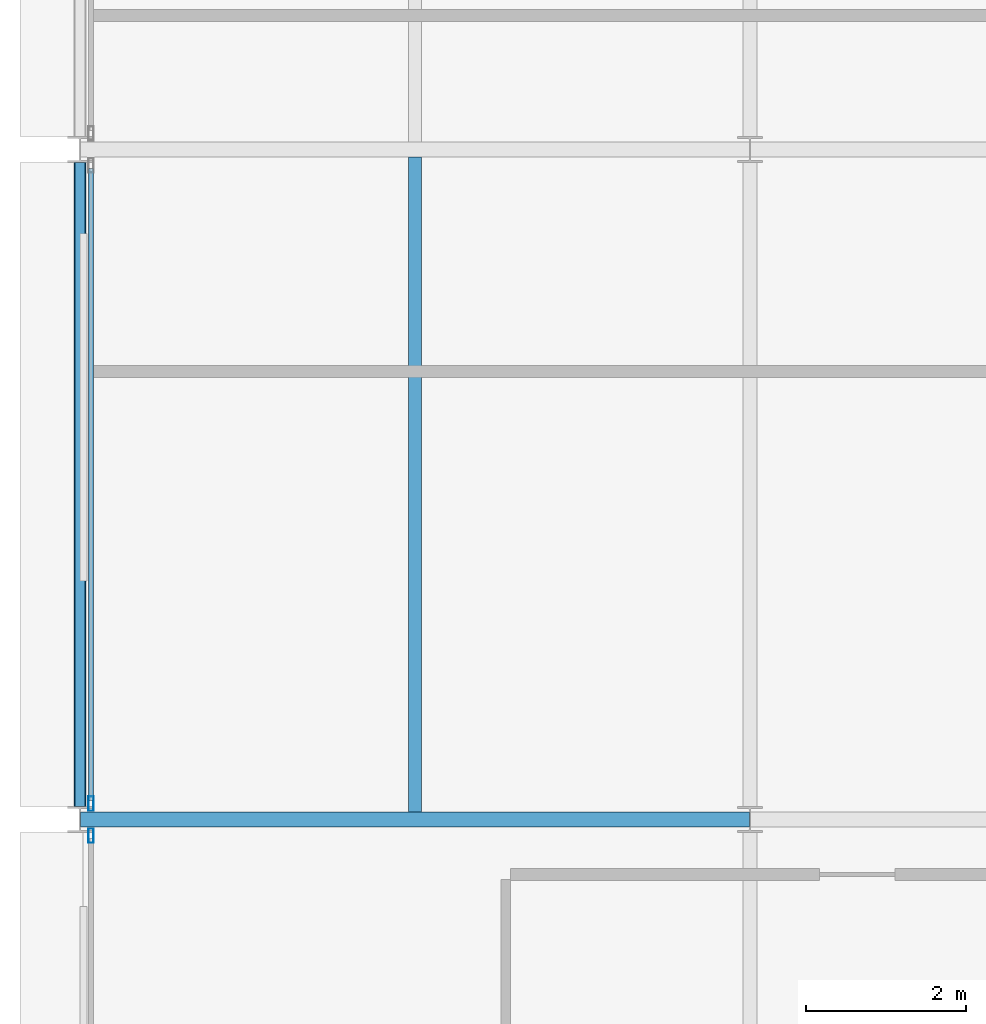
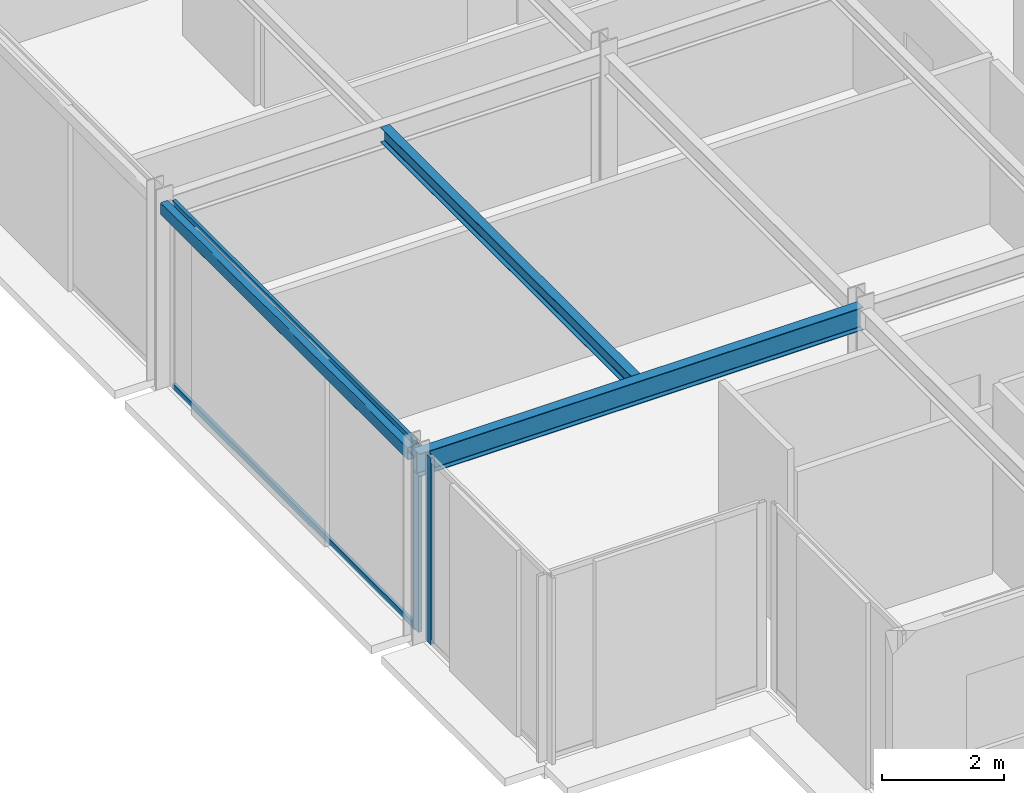
# One storey, part 5 of 25: 4 members, 3 beams, 2 elements without a shape of their own.
"""IFC4 building model written with IfcOpenShell, lengths in metres."""

import ifcopenshell
import ifcopenshell.guid

model = None  # the IFC model being written
_history = None  # IfcOwnerHistory: only IFC2X3 demands one
_inside = {}  # id of a spatial element -> (the spatial element, [elements in it])
_under = {}  # id of a project, library or spatial element -> (it, [spatial elements below it])
_declared = {}  # id of a project -> (the project, [libraries it declares])
_typed = {}  # id of a type object -> (the type object, [elements of that type])
_made_of = {}  # id of a material, layer set ... -> (it, [elements and type objects made of it])


def new_model(schema):
    """Start an empty IFC model of exactly this schema.

    Asked for "IFC4X3", IfcOpenShell would pick the latest addendum, in which some entities
    have other attributes; the version numbers below select the first issue.
    IFC2X3 requires an IfcOwnerHistory on every rooted entity: one is made here for all.
    """
    global model, _history
    if schema == "IFC4X3":
        model = ifcopenshell.file(schema_version=(4, 3, 0, 0))
    else:
        model = ifcopenshell.file(schema=schema)
    _inside.clear()
    _under.clear()
    _declared.clear()
    _typed.clear()
    _made_of.clear()
    _history = None
    if model.schema == "IFC2X3":
        org = make("IfcOrganization", Name="unknown")
        user = make(
            "IfcPersonAndOrganization",
            ThePerson=make("IfcPerson", FamilyName="unknown"),
            TheOrganization=org,
        )
        app = make(
            "IfcApplication",
            ApplicationDeveloper=org,
            Version="unknown",
            ApplicationFullName="unknown",
            ApplicationIdentifier="unknown",
        )
        _history = make(
            "IfcOwnerHistory",
            OwningUser=user,
            OwningApplication=app,
            ChangeAction="ADDED",
            CreationDate=0,
        )
    return model


def make(cls, **values):
    """One entity of the class cls with the attributes given. An attribute that is None is left unset."""
    return model.create_entity(
        cls, **{name: value for name, value in values.items() if value is not None}
    )


def rooted(cls, **values):
    """An entity with a GlobalId (a new one), such as an element, a storey or a relation."""
    return make(cls, GlobalId=ifcopenshell.guid.new(), OwnerHistory=_history, **values)


def si_unit(unit_type, name, prefix=None):
    """IfcSIUnit, for example si_unit("LENGTHUNIT", "METRE", prefix="MILLI")."""
    return make("IfcSIUnit", UnitType=unit_type, Prefix=prefix, Name=name)


def assignment(units):
    """IfcUnitAssignment: the units of a project."""
    return None if units is None else make("IfcUnitAssignment", Units=units)


def point(xyz):
    """IfcCartesianPoint."""
    return None if xyz is None else make("IfcCartesianPoint", Coordinates=xyz)


def direction(xyz):
    """IfcDirection."""
    return None if xyz is None else make("IfcDirection", DirectionRatios=xyz)


def frame(location, z_axis=None, x_axis=None):
    """IfcAxis2Placement3D, a coordinate frame: its origin and axes. An axis left out is left unset."""
    return make(
        "IfcAxis2Placement3D",
        Location=point(location),
        Axis=direction(z_axis),
        RefDirection=direction(x_axis),
    )


def frame_2d(location, x_axis=None):
    """IfcAxis2Placement2D, a coordinate frame in the plane: its origin and x axis."""
    return make(
        "IfcAxis2Placement2D", Location=point(location), RefDirection=direction(x_axis)
    )


def origin():
    """The frame at (0, 0, 0) with its axes left unset."""
    return frame((0.0, 0.0, 0.0))


def origin_2d():
    """The frame at (0, 0) in the plane with its x axis left unset."""
    return frame_2d((0.0, 0.0))


def place(relative_to, where):
    """IfcLocalPlacement: puts the frame where relative to a parent placement (None: the world)."""
    return make(
        "IfcLocalPlacement", PlacementRelTo=relative_to, RelativePlacement=where
    )


def context(
    kind, dimensions, precision=None, world=None, true_north=None, identifier=None
):
    """IfcGeometricRepresentationContext, for example the 3D "Model" context."""
    return make(
        "IfcGeometricRepresentationContext",
        ContextIdentifier=identifier,
        ContextType=kind,
        CoordinateSpaceDimension=dimensions,
        Precision=precision,
        WorldCoordinateSystem=world,
        TrueNorth=true_north,
    )


def subcontext(parent, identifier, kind, view, scale=None):
    """IfcGeometricRepresentationSubContext, for example "Body" below "Model"."""
    return make(
        "IfcGeometricRepresentationSubContext",
        ContextIdentifier=identifier,
        ContextType=kind,
        ParentContext=parent,
        TargetScale=scale,
        TargetView=view,
    )


def project(units=None, contexts=None):
    """IfcProject with its units and contexts."""
    return rooted(
        "IfcProject",
        Name="project",
        RepresentationContexts=contexts,
        UnitsInContext=assignment(units),
    )


def spatial(cls, under=None, at=None, **own):
    """A site, building, storey or space (cls), placed at a placement, below another one or the project."""
    s = rooted(cls, ObjectPlacement=at, **own)
    if under is not None:
        _under.setdefault(under.id(), (under, []))[1].append(s)
    return s


def profile(cls, at=None, kind="AREA", **sizes):
    """A parametric profile (cls). Its sizes go by their IFC names, for example OverallWidth=200.0."""
    return make(cls, ProfileType=kind, Position=at, **sizes)


def hollow_rectangle(**sizes):
    """IfcRectangleHollowProfileDef."""
    return profile("IfcRectangleHollowProfileDef", **sizes)


def i_section(**sizes):
    """IfcIShapeProfileDef."""
    return profile("IfcIShapeProfileDef", **sizes)


def extrude(swept, where, along, depth):
    """IfcExtrudedAreaSolid: the profile swept, set in the frame where, extruded along a direction by depth."""
    return make(
        "IfcExtrudedAreaSolid",
        SweptArea=swept,
        Position=where,
        ExtrudedDirection=direction(along),
        Depth=depth,
    )


def shape(context_of_items, identifier, shape_type, items):
    """IfcShapeRepresentation: the items that make up one representation, for example the "Body"."""
    return make(
        "IfcShapeRepresentation",
        ContextOfItems=context_of_items,
        RepresentationIdentifier=identifier,
        RepresentationType=shape_type,
        Items=items,
    )


def material(Name=None, Category=None):
    """IfcMaterial."""
    return make("IfcMaterial", Name=Name, Category=Category)


def layer(
    of_material, thickness, ventilated=None, Name=None, Category=None, Priority=None
):
    """IfcMaterialLayer: one layer of a wall or slab, of a material (None: an air gap)."""
    return make(
        "IfcMaterialLayer",
        Material=of_material,
        LayerThickness=thickness,
        IsVentilated=ventilated,
        Name=Name,
        Category=Category,
        Priority=Priority,
    )


def layer_set(layers, Name=None):
    """IfcMaterialLayerSet."""
    return make("IfcMaterialLayerSet", MaterialLayers=layers, LayerSetName=Name)


def material_profile(
    of_material, cross_section, Name=None, Category=None, Priority=None
):
    """IfcMaterialProfile: a cross section and its material."""
    return make(
        "IfcMaterialProfile",
        Name=Name,
        Material=of_material,
        Profile=cross_section,
        Priority=Priority,
        Category=Category,
    )


def profile_set(profiles, Name=None, composite=None):
    """IfcMaterialProfileSet."""
    return make(
        "IfcMaterialProfileSet",
        Name=Name,
        MaterialProfiles=profiles,
        CompositeProfile=composite,
    )


def made_of(thing, what):
    """Note that an element or type object is made of a material, layer set ...; save() writes the relation."""
    if what is not None:
        _made_of.setdefault(what.id(), (what, []))[1].append(thing)
    return thing


def type_object(cls, material=None, **own):
    """A type object (cls), such as IfcWallType, which elements share."""
    return made_of(rooted(cls, **own), material)


def element(
    cls,
    number,
    at=None,
    inside=None,
    cuts=None,
    type_object=None,
    material=None,
    context=None,
    identifier="Body",
    shape_type=None,
    held_by="IfcProductDefinitionShape",
    body=None,
    shapes=None,
    **own,
):
    """One element of the class cls, such as IfcWall. Its Tag is "e" and its number.

    at: its placement. inside: the storey or other place that contains it. cuts: it is an
    opening in that element (IfcRelVoidsElement). A single representation is given by context,
    identifier, shape_type and body (its items); several are given by shapes. held_by: the class
    of the entity that holds the representations. save() writes the other relations.
    """
    e = rooted(cls, Tag="e%d" % number, ObjectPlacement=at, **own)
    if body is not None:
        shapes = [shape(context, identifier, shape_type, body)]
    if shapes is not None:
        e.Representation = make(held_by, Representations=shapes)
    if inside is not None:
        _inside.setdefault(inside.id(), (inside, []))[1].append(e)
    if cuts is not None:
        rooted(
            "IfcRelVoidsElement", RelatingBuildingElement=cuts, RelatedOpeningElement=e
        )
    if type_object is not None:
        _typed.setdefault(type_object.id(), (type_object, []))[1].append(e)
    return made_of(e, material)


def aggregate(whole, parts):
    """IfcRelAggregates: a whole, such as a stair, and the parts it consists of."""
    return rooted("IfcRelAggregates", RelatingObject=whole, RelatedObjects=parts)


def save(model, path):
    """Write the relations noted so far, then the file.

    IfcRelAggregates (storeys below a building ...), IfcRelContainedInSpatialStructure (elements
    in a storey), IfcRelDefinesByType, IfcRelAssociatesMaterial and IfcRelDeclares: one each for
    every whole, place, type object, material and project.
    """
    for whole, parts in _under.values():
        aggregate(whole, parts)
    for where, things in _inside.values():
        rooted(
            "IfcRelContainedInSpatialStructure",
            RelatedElements=things,
            RelatingStructure=where,
        )
    for kind, things in _typed.values():
        rooted("IfcRelDefinesByType", RelatedObjects=things, RelatingType=kind)
    for what, things in _made_of.values():
        rooted("IfcRelAssociatesMaterial", RelatedObjects=things, RelatingMaterial=what)
    for by, libraries in _declared.values():
        rooted("IfcRelDeclares", RelatingContext=by, RelatedDefinitions=libraries)
    model.write(path)


model = new_model("IFC4")

# Units and contexts
model_context = context("Model", 3, precision=1e-05, world=origin(), true_north=direction((0.0, 1.0)))
body_context = subcontext(model_context, "Body", "Model", "MODEL_VIEW")
ifc_project = project(units=[si_unit("LENGTHUNIT", "METRE"), si_unit("AREAUNIT", "SQUARE_METRE"), si_unit("VOLUMEUNIT", "CUBIC_METRE"), si_unit("PLANEANGLEUNIT", "RADIAN"), si_unit("MASSUNIT", "GRAM", prefix="KILO")], contexts=[model_context])

# Site, building, storey
site_placement = place(None, origin())
site = spatial("IfcSite", under=ifc_project, at=site_placement, CompositionType="ELEMENT")
building_placement = place(site_placement, origin())
building = spatial("IfcBuilding", under=site, at=building_placement, Name="Nerrivon Quay Data Exchange", CompositionType="ELEMENT")
storey_placement = place(building_placement, frame((0.0, 0.0, 290.199951171875)))
storey = spatial("IfcBuildingStorey", under=building, at=storey_placement, Name="L69", CompositionType="ELEMENT", Elevation=290.199951171875)

# Beams
ifc_material_1 = material(Name="Steel Grade 350", Category="steel")
ifc_material_profile_1 = material_profile(ifc_material_1, i_section(OverallWidth=0.18994140625, OverallDepth=0.4541015625, WebThickness=0.008544921875, FlangeThickness=0.0126953125, FilletRadius=0.011474609375, at=origin_2d()), Name="460UB67.1")
ifc_profile_set_1 = profile_set([ifc_material_profile_1], Name="Steel Grade 350")
beam_type_1 = type_object("IfcBeamType", Name="BM-G6-460UB67", PredefinedType="BEAM", material=ifc_profile_set_1)
beam_1_placement = place(storey_placement, frame((0.0078125, 8.39990234375, 3.498046875), z_axis=(1.0, 0.0, 0.0), x_axis=(0.0, 1.0, 0.0)))
element("IfcBeam", 1, at=beam_1_placement, inside=storey, type_object=beam_type_1, Name="L69 EW Girder Y=8.4 (0.0..8.4)", PredefinedType="BEAM", context=body_context, shape_type="SweptSolid", body=[
    extrude(i_section(OverallWidth=0.18994140625, OverallDepth=0.4541015625, WebThickness=0.008544921875, FlangeThickness=0.0126953125, FilletRadius=0.011474609375, at=origin_2d()), origin(), (0.0, 0.0, 1.0), 8.38427734375),
])
ifc_material_profile_2 = material_profile(ifc_material_1, i_section(OverallWidth=0.1650390625, OverallDepth=0.303955078125, WebThickness=0.006103515625, FlangeThickness=0.01025390625, FilletRadius=0.011474609375, at=origin_2d()), Name="310UB40.4")
ifc_profile_set_2 = profile_set([ifc_material_profile_2], Name="Steel Grade 350")
beam_type_2 = type_object("IfcBeamType", Name="BM-J6-310UB40", PredefinedType="JOIST", material=ifc_profile_set_2)
beam_2_placement = place(storey_placement, frame((4.199951171875, 8.4951171875, 3.572998046875), z_axis=(0.0, 1.0, 0.0), x_axis=(-1.0, 0.0, 0.0)))
element("IfcBeam", 2, at=beam_2_placement, inside=storey, type_object=beam_type_2, Name="L69 Secondary Joist X=4.2 (8.4..16.8)", PredefinedType="JOIST", context=body_context, shape_type="SweptSolid", body=[
    extrude(i_section(OverallWidth=0.1650390625, OverallDepth=0.303955078125, WebThickness=0.006103515625, FlangeThickness=0.01025390625, FilletRadius=0.011474609375, at=origin_2d()), origin(), (0.0, 0.0, 1.0), 8.2099609375),
])
ifc_material_2 = material(Name="Steel Grade C350L0 (350 MPa)", Category="steel")
ifc_material_profile_3 = material_profile(ifc_material_2, hollow_rectangle(XDim=0.14990234375, YDim=0.25, WallThickness=0.009033203125, InnerFilletRadius=0.013427734375, OuterFilletRadius=0.0224609375, at=origin_2d()), Name="250x150x9.0RHS")
ifc_profile_set_3 = profile_set([ifc_material_profile_3], Name="Steel Grade C350L0 (350 MPa)")
beam_type_3 = type_object("IfcBeamType", Name="BM-SP4-250x150RHS", PredefinedType="SPANDREL", material=ifc_profile_set_3)
beam_3_placement = place(storey_placement, frame((0.0, 8.5634765625, 3.60009765625), z_axis=(0.0, 1.0, 0.0), x_axis=(-1.0, 0.0, 0.0)))
element("IfcBeam", 3, at=beam_3_placement, inside=storey, type_object=beam_type_3, Name="L69 NS Girder X=0.0 (8.4..16.8)", PredefinedType="SPANDREL", context=body_context, shape_type="SweptSolid", body=[
    extrude(hollow_rectangle(XDim=0.14990234375, YDim=0.25, WallThickness=0.009033203125, InnerFilletRadius=0.013427734375, OuterFilletRadius=0.0224609375, at=origin_2d()), origin(), (0.0, 0.0, 1.0), 8.072998046875),
])

# Curtain wall, member
ifc_material_3 = material(Name="Anodised aluminium 6063-T6", Category="aluminium")
ifc_layer = layer(ifc_material_3, 0.195068359375)
ifc_layer_set = layer_set([ifc_layer], Name="Anodised aluminium 6063-T6")
curtain_wall_type = type_object("IfcCurtainWallType", Name="CW-SYS-06", PredefinedType="NOTDEFINED", material=ifc_layer_set)
curtain_wall_1_placement = place(storey_placement, origin())
curtain_wall_1 = element("IfcCurtainWall", 4, at=curtain_wall_1_placement, inside=storey, type_object=curtain_wall_type, Name="L69 Unitised Curtain Wall 8", PredefinedType="NOTDEFINED")
ifc_material_profile_4 = material_profile(ifc_material_3, hollow_rectangle(XDim=0.06494140625, YDim=0.179931640625, WallThickness=0.00341796875, at=origin_2d()), Name="ALU-MULL-180x65")
ifc_profile_set_4 = profile_set([ifc_material_profile_4], Name="Anodised aluminium 6063-T6")
member_type_1 = type_object("IfcMemberType", Name="CWM-180x65", PredefinedType="MULLION", material=ifc_profile_set_4)
member_1_placement = place(storey_placement, frame((0.139892578125, 8.198974609375, 0.0), z_axis=(0.0, 0.0, 1.0), x_axis=(-1.0, 0.0, 0.0)))
member_1 = element("IfcMember", 5, at=member_1_placement, type_object=member_type_1, Name="CW06 mullion 2", PredefinedType="MULLION", context=body_context, shape_type="SweptSolid", body=[
    extrude(hollow_rectangle(XDim=0.06494140625, YDim=0.179931640625, WallThickness=0.00341796875, at=origin_2d()), origin(), (0.0, 0.0, 1.0), 3.72509765625),
])
aggregate(curtain_wall_1, [member_1])

# Curtain wall, members
curtain_wall_2_placement = place(storey_placement, origin())
curtain_wall_2 = element("IfcCurtainWall", 6, at=curtain_wall_2_placement, inside=storey, type_object=curtain_wall_type, Name="L69 Unitised Curtain Wall 9", PredefinedType="NOTDEFINED")
member_2_placement = place(storey_placement, frame((0.139892578125, 8.60107421875, 0.0), z_axis=(0.0, 0.0, 1.0), x_axis=(-1.0, 0.0, 0.0)))
member_2 = element("IfcMember", 7, at=member_2_placement, type_object=member_type_1, Name="CW06 mullion 1", PredefinedType="MULLION", context=body_context, shape_type="SweptSolid", body=[
    extrude(hollow_rectangle(XDim=0.06494140625, YDim=0.179931640625, WallThickness=0.00341796875, at=origin_2d()), origin(), (0.0, 0.0, 1.0), 3.72509765625),
])
ifc_material_profile_5 = material_profile(ifc_material_3, hollow_rectangle(XDim=0.06005859375, YDim=0.1201171875, WallThickness=0.003173828125, at=origin_2d()), Name="ALU-TRAN-120x60")
ifc_profile_set_5 = profile_set([ifc_material_profile_5], Name="Anodised aluminium 6063-T6")
member_type_2 = type_object("IfcMemberType", Name="CWT-120x60", PredefinedType="USERDEFINED", material=ifc_profile_set_5)
member_3_placement = place(storey_placement, frame((0.139892578125, 8.638427734375, 0.032470703125), z_axis=(0.0, 1.0, 0.0), x_axis=(-1.0, 0.0, 0.0)))
member_3 = element("IfcMember", 8, at=member_3_placement, type_object=member_type_2, Name="CW06 transom 1.1", ObjectType="TRANSOM", PredefinedType="USERDEFINED", context=body_context, shape_type="SweptSolid", body=[
    extrude(hollow_rectangle(XDim=0.06005859375, YDim=0.1201171875, WallThickness=0.003173828125, at=origin_2d()), origin(), (0.0, 0.0, 1.0), 7.923095703125),
])
member_4_placement = place(storey_placement, frame((0.139892578125, 8.638427734375, 3.692626953125), z_axis=(0.0, 1.0, 0.0), x_axis=(-1.0, 0.0, 0.0)))
member_4 = element("IfcMember", 9, at=member_4_placement, type_object=member_type_2, Name="CW06 transom 1.2", ObjectType="TRANSOM", PredefinedType="USERDEFINED", context=body_context, shape_type="SweptSolid", body=[
    extrude(hollow_rectangle(XDim=0.06005859375, YDim=0.1201171875, WallThickness=0.003173828125, at=origin_2d()), origin(), (0.0, 0.0, 1.0), 7.923095703125),
])
aggregate(curtain_wall_2, [member_2, member_3, member_4])

save(model, "model.ifc")
